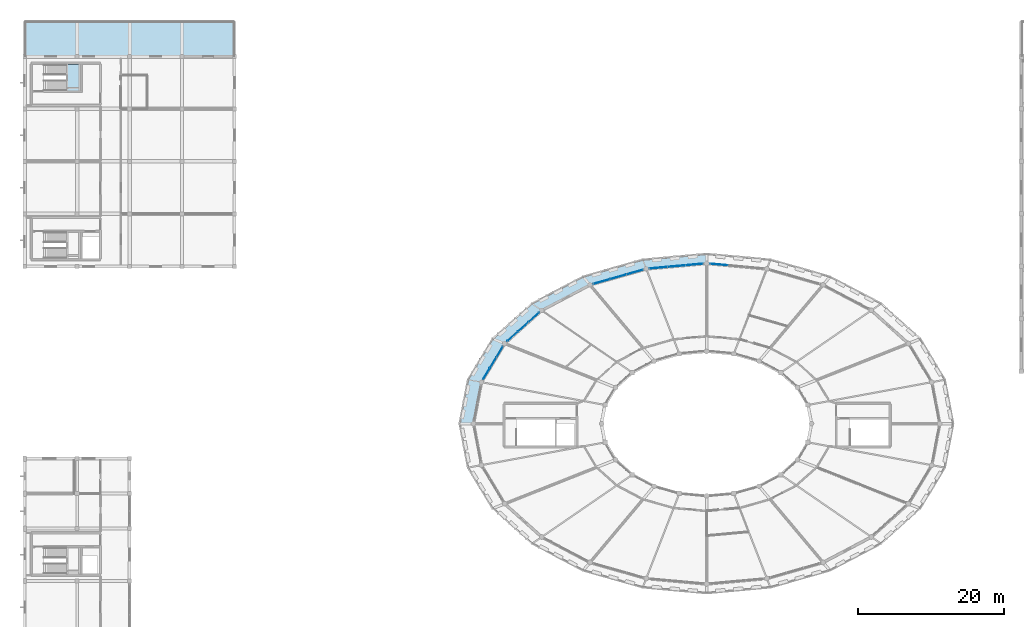
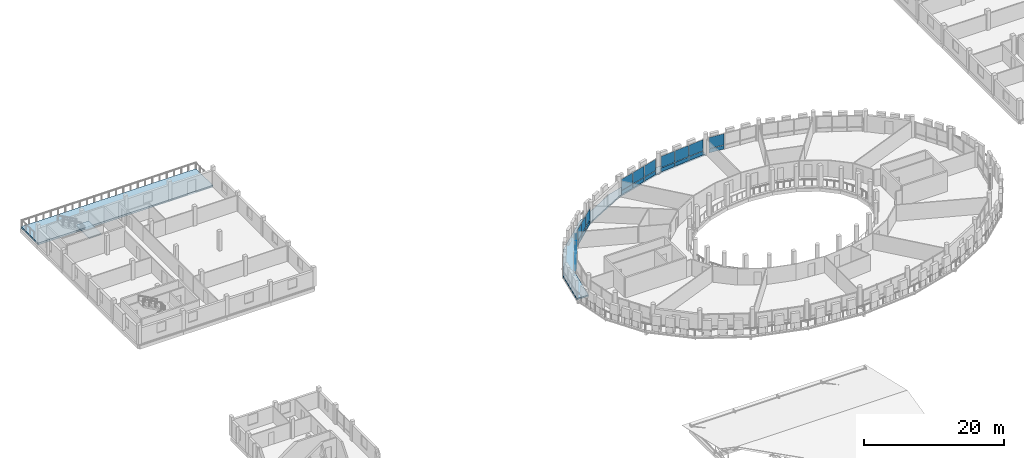
# One storey, part 63 of 84: 26 plates, 3 slabs, 6 elements without a shape of their own.
"""IFC4 building model written with IfcOpenShell, lengths in metres."""

from ifc_helpers import new_model, si_unit, direction, frame, origin, origin_2d, place, context, subcontext, project, spatial, polyline, rectangle, outline, extrude, material, layer, layer_set, type_object, element, aggregate, save


model = new_model("IFC4")

# Units and contexts
model_context = context("Model", 3, precision=1e-05, world=origin(), true_north=direction((0.0, 1.0)))
body_context = subcontext(model_context, "Body", "Model", "MODEL_VIEW")
ifc_project = project(units=[si_unit("LENGTHUNIT", "METRE"), si_unit("AREAUNIT", "SQUARE_METRE"), si_unit("VOLUMEUNIT", "CUBIC_METRE"), si_unit("PLANEANGLEUNIT", "RADIAN"), si_unit("MASSUNIT", "GRAM", prefix="KILO")], contexts=[model_context])

# Site, building, storey
site_placement = place(None, origin())
site = spatial("IfcSite", under=ifc_project, at=site_placement, CompositionType="ELEMENT")
building_placement = place(site_placement, origin())
building = spatial("IfcBuilding", under=site, at=building_placement, Name="Zornivar Specialist Clinic", CompositionType="ELEMENT")
storey_placement = place(building_placement, frame((0.0, 0.0, 12.300048828125)))
storey = spatial("IfcBuildingStorey", under=building, at=storey_placement, Name="L03", CompositionType="ELEMENT", Elevation=12.300048828125)

# Curtain wall, plates
ifc_material_1 = material(Name="Aluminium and Low-E Glass Curtain Wall", Category="aluminium")
curtain_wall_type = type_object("IfcCurtainWallType", Name="CW-DRUM-FACET", PredefinedType="NOTDEFINED", material=ifc_material_1)
curtain_wall_1_placement = place(storey_placement, origin())
curtain_wall_1 = element("IfcCurtainWall", 1, at=curtain_wall_1_placement, inside=storey, type_object=curtain_wall_type, Name="cw:V1:L03:c09", PredefinedType="NOTDEFINED")
ifc_material_2 = material(Name="Insulated Bronze Spandrel Panel")
ifc_layer_1 = layer(ifc_material_2, 0.048095703125)
ifc_layer_set_1 = layer_set([ifc_layer_1], Name="Insulated Bronze Spandrel Panel")
plate_type_1 = type_object("IfcPlateType", Name="CWP-SPN-A", PredefinedType="CURTAIN_PANEL", material=ifc_layer_set_1)
plate_1_placement = place(storey_placement, frame((69.886962890625, 72.18310546875, 0.030517578125), z_axis=(0.0, 0.0, 1.0), x_axis=(-0.744880599036, -0.667197791648, 0.0)))
plate_1 = element("IfcPlate", 2, at=plate_1_placement, type_object=plate_type_1, Name="cw:V1:L03:c09:spn:0", PredefinedType="CURTAIN_PANEL", context=body_context, shape_type="SweptSolid", body=[
    extrude(rectangle(XDim=1.885986328125, YDim=0.048095703125, at=origin_2d()), origin(), (0.0, 0.0, 1.0), 0.6708984375),
])
plate_2_placement = place(storey_placement, frame((68.429931640625, 70.8779296875, 0.030517578125), z_axis=(0.0, 0.0, 1.0), x_axis=(-0.744880599036, -0.667197791648, 0.0)))
plate_2 = element("IfcPlate", 3, at=plate_2_placement, type_object=plate_type_1, Name="cw:V1:L03:c09:spn:1", PredefinedType="CURTAIN_PANEL", context=body_context, shape_type="SweptSolid", body=[
    extrude(rectangle(XDim=1.885986328125, YDim=0.048095703125, at=origin_2d()), origin(), (0.0, 0.0, 1.0), 0.6708984375),
])
plate_3_placement = place(storey_placement, frame((66.972900390625, 69.572998046875, 0.030517578125), z_axis=(0.0, 0.0, 1.0), x_axis=(-0.744880599036, -0.667197791648, 0.0)))
plate_3 = element("IfcPlate", 4, at=plate_3_placement, type_object=plate_type_1, Name="cw:V1:L03:c09:spn:2", PredefinedType="CURTAIN_PANEL", context=body_context, shape_type="SweptSolid", body=[
    extrude(rectangle(XDim=1.885009765625, YDim=0.048095703125, at=origin_2d()), origin(), (0.0, 0.0, 1.0), 0.6708984375),
])

curtain_wall_2_placement = place(storey_placement, origin())
curtain_wall_2 = element("IfcCurtainWall", 5, at=curtain_wall_2_placement, inside=storey, type_object=curtain_wall_type, Name="cw:V1:L03:c10", PredefinedType="NOTDEFINED")
ifc_material_3 = material(Name="Insulated Bronze Spandrel Panel")
ifc_layer_2 = layer(ifc_material_3, 0.048095703125)
ifc_layer_set_2 = layer_set([ifc_layer_2], Name="Insulated Bronze Spandrel Panel")
plate_type_2 = type_object("IfcPlateType", Name="CWP-SPN-B", PredefinedType="CURTAIN_PANEL", material=ifc_layer_set_2)
plate_4_placement = place(storey_placement, frame((65.18896484375, 67.44091796875, 0.030517578125), z_axis=(0.0, 0.0, 1.0), x_axis=(-0.516127401954, -0.856511824175, 0.0)))
plate_4 = element("IfcPlate", 6, at=plate_4_placement, type_object=plate_type_2, Name="cw:V1:L03:c10:spn:0", PredefinedType="CURTAIN_PANEL", context=body_context, shape_type="SweptSolid", body=[
    extrude(rectangle(XDim=1.675048828125, YDim=0.048095703125, at=origin_2d()), origin(), (0.0, 0.0, 1.0), 0.6708984375),
])
plate_5_placement = place(storey_placement, frame((64.2890625, 65.947021484375, 0.030517578125), z_axis=(0.0, 0.0, 1.0), x_axis=(-0.516127401954, -0.856511824175, 0.0)))
plate_5 = element("IfcPlate", 7, at=plate_5_placement, type_object=plate_type_2, Name="cw:V1:L03:c10:spn:1", PredefinedType="CURTAIN_PANEL", context=body_context, shape_type="SweptSolid", body=[
    extrude(rectangle(XDim=1.675048828125, YDim=0.048095703125, at=origin_2d()), origin(), (0.0, 0.0, 1.0), 0.6708984375),
])
plate_6_placement = place(storey_placement, frame((63.387939453125, 64.451904296875, 0.030517578125), z_axis=(0.0, 0.0, 1.0), x_axis=(-0.516127401954, -0.856511824175, 0.0)))
plate_6 = element("IfcPlate", 8, at=plate_6_placement, type_object=plate_type_2, Name="cw:V1:L03:c10:spn:2", PredefinedType="CURTAIN_PANEL", context=body_context, shape_type="SweptSolid", body=[
    extrude(rectangle(XDim=1.675048828125, YDim=0.048095703125, at=origin_2d()), origin(), (0.0, 0.0, 1.0), 0.6708984375),
])

# Curtain wall, plate
curtain_wall_3_placement = place(storey_placement, origin())
curtain_wall_3 = element("IfcCurtainWall", 9, at=curtain_wall_3_placement, inside=storey, type_object=curtain_wall_type, Name="cw:V1:L03:c05", PredefinedType="NOTDEFINED")
ifc_material_4 = material(Name="Insulated Bronze Spandrel Panel")
ifc_layer_3 = layer(ifc_material_4, 0.048095703125)
ifc_layer_set_3 = layer_set([ifc_layer_3], Name="Insulated Bronze Spandrel Panel")
plate_type_3 = type_object("IfcPlateType", Name="CWP-SPN-C", PredefinedType="CURTAIN_PANEL", material=ifc_layer_set_3)
plate_7_placement = place(storey_placement, frame((95.299072265625, 79.446044921875, 0.030517578125), z_axis=(0.0, 0.0, 1.0), x_axis=(-0.995932792393, 0.09009923993, 0.0)))
plate_7 = element("IfcPlate", 10, at=plate_7_placement, type_object=plate_type_3, Name="cw:V1:L03:c05:spn:2", PredefinedType="CURTAIN_PANEL", context=body_context, shape_type="SweptSolid", body=[
    extrude(rectangle(XDim=2.382080078125, YDim=0.048095703125, at=origin_2d()), origin(), (0.0, 0.0, 1.0), 0.6708984375),
])

# Curtain wall, plates
curtain_wall_4_placement = place(storey_placement, origin())
curtain_wall_4 = element("IfcCurtainWall", 11, at=curtain_wall_4_placement, inside=storey, type_object=curtain_wall_type, Name="cw:V1:L03:c06", PredefinedType="NOTDEFINED")
ifc_material_5 = material(Name="Insulated Limestone-Faced Spandrel Panel", Category="masonry")
ifc_layer_4 = layer(ifc_material_5, 0.05810546875)
ifc_layer_set_4 = layer_set([ifc_layer_4], Name="Insulated Limestone-Faced Spandrel Panel")
plate_type_4 = type_object("IfcPlateType", Name="CWP-SPN-D", PredefinedType="CURTAIN_PANEL", material=ifc_layer_set_4)
plate_8_placement = place(storey_placement, frame((91.90087890625, 79.446044921875, 0.030517578125), z_axis=(0.0, 0.0, 1.0), x_axis=(-0.995932792393, -0.09009923993, 0.0)))
plate_8 = element("IfcPlate", 12, at=plate_8_placement, type_object=plate_type_4, Name="cw:V1:L03:c06:spn:0", PredefinedType="CURTAIN_PANEL", context=body_context, shape_type="SweptSolid", body=[
    extrude(rectangle(XDim=2.382080078125, YDim=0.05810546875, at=origin_2d()), origin(), (0.0, 0.0, 1.0), 0.6708984375),
])
plate_9_placement = place(storey_placement, frame((89.458984375, 79.22509765625, 0.030517578125), z_axis=(0.0, 0.0, 1.0), x_axis=(-0.995932792393, -0.09009923993, 0.0)))
plate_9 = element("IfcPlate", 13, at=plate_9_placement, type_object=plate_type_4, Name="cw:V1:L03:c06:spn:1", PredefinedType="CURTAIN_PANEL", context=body_context, shape_type="SweptSolid", body=[
    extrude(rectangle(XDim=2.382080078125, YDim=0.05810546875, at=origin_2d()), origin(), (0.0, 0.0, 1.0), 0.6708984375),
])
plate_10_placement = place(storey_placement, frame((87.01708984375, 79.00390625, 0.030517578125), z_axis=(0.0, 0.0, 1.0), x_axis=(-0.995932792393, -0.09009923993, 0.0)))
plate_10 = element("IfcPlate", 14, at=plate_10_placement, type_object=plate_type_4, Name="cw:V1:L03:c06:spn:2", PredefinedType="CURTAIN_PANEL", context=body_context, shape_type="SweptSolid", body=[
    extrude(rectangle(XDim=2.382080078125, YDim=0.05810546875, at=origin_2d()), origin(), (0.0, 0.0, 1.0), 0.6708984375),
])

curtain_wall_5_placement = place(storey_placement, origin())
curtain_wall_5 = element("IfcCurtainWall", 15, at=curtain_wall_5_placement, inside=storey, type_object=curtain_wall_type, Name="cw:V1:L03:c07", PredefinedType="NOTDEFINED")
ifc_material_6 = material(Name="Insulated Bronze Spandrel Panel")
ifc_layer_5 = layer(ifc_material_6, 0.0458984375)
ifc_layer_set_5 = layer_set([ifc_layer_5], Name="Insulated Bronze Spandrel Panel")
plate_type_5 = type_object("IfcPlateType", Name="CWP-SPN-E", PredefinedType="CURTAIN_PANEL", material=ifc_layer_set_5)
plate_11_placement = place(storey_placement, frame((83.72412109375, 78.39697265625, 0.030517578125), z_axis=(0.0, 0.0, 1.0), x_axis=(-0.961761244933, -0.273889225319, 0.0)))
plate_11 = element("IfcPlate", 16, at=plate_11_placement, type_object=plate_type_5, Name="cw:V1:L03:c07:spn:0", PredefinedType="CURTAIN_PANEL", context=body_context, shape_type="SweptSolid", body=[
    extrude(rectangle(XDim=2.284912109375, YDim=0.0458984375, at=origin_2d()), origin(), (0.0, 0.0, 1.0), 0.6708984375),
])
plate_12_placement = place(storey_placement, frame((81.458984375, 77.751953125, 0.030517578125), z_axis=(0.0, 0.0, 1.0), x_axis=(-0.961761244933, -0.273889225319, 0.0)))
plate_12 = element("IfcPlate", 17, at=plate_12_placement, type_object=plate_type_5, Name="cw:V1:L03:c07:spn:1", PredefinedType="CURTAIN_PANEL", context=body_context, shape_type="SweptSolid", body=[
    extrude(rectangle(XDim=2.284912109375, YDim=0.0458984375, at=origin_2d()), origin(), (0.0, 0.0, 1.0), 0.6708984375),
])
plate_13_placement = place(storey_placement, frame((79.194091796875, 77.10693359375, 0.030517578125), z_axis=(0.0, 0.0, 1.0), x_axis=(-0.961761244933, -0.273889225319, 0.0)))
plate_13 = element("IfcPlate", 18, at=plate_13_placement, type_object=plate_type_5, Name="cw:V1:L03:c07:spn:2", PredefinedType="CURTAIN_PANEL", context=body_context, shape_type="SweptSolid", body=[
    extrude(rectangle(XDim=2.284912109375, YDim=0.0458984375, at=origin_2d()), origin(), (0.0, 0.0, 1.0), 0.6708984375),
])
ifc_material_7 = material(Name="Triple Low-E Vision Glass", Category="glass")
ifc_layer_6 = layer(ifc_material_7, 0.035888671875)
ifc_layer_set_6 = layer_set([ifc_layer_6], Name="Triple Low-E Vision Glass")
plate_type_6 = type_object("IfcPlateType", Name="CWP-VIS-A", PredefinedType="CURTAIN_PANEL", material=ifc_layer_set_6)
plate_14_placement = place(storey_placement, frame((83.72412109375, 78.39697265625, 0.76611328125), z_axis=(0.0, 0.0, 1.0), x_axis=(-0.961761244933, -0.273889225319, 0.0)))
plate_14 = element("IfcPlate", 19, at=plate_14_placement, type_object=plate_type_6, Name="cw:V1:L03:c07:vis:0", PredefinedType="CURTAIN_PANEL", context=body_context, shape_type="SweptSolid", body=[
    extrude(rectangle(XDim=2.284912109375, YDim=0.035888671875, at=origin_2d()), origin(), (0.0, 0.0, 1.0), 1.944091796875),
])
plate_15_placement = place(storey_placement, frame((81.458984375, 77.751953125, 0.76611328125), z_axis=(0.0, 0.0, 1.0), x_axis=(-0.961761244933, -0.273889225319, 0.0)))
plate_15 = element("IfcPlate", 20, at=plate_15_placement, type_object=plate_type_6, Name="cw:V1:L03:c07:vis:1", PredefinedType="CURTAIN_PANEL", context=body_context, shape_type="SweptSolid", body=[
    extrude(rectangle(XDim=2.284912109375, YDim=0.035888671875, at=origin_2d()), origin(), (0.0, 0.0, 1.0), 1.944091796875),
])
plate_16_placement = place(storey_placement, frame((79.194091796875, 77.10693359375, 0.76611328125), z_axis=(0.0, 0.0, 1.0), x_axis=(-0.961761244933, -0.273889225319, 0.0)))
plate_16 = element("IfcPlate", 21, at=plate_16_placement, type_object=plate_type_6, Name="cw:V1:L03:c07:vis:2", PredefinedType="CURTAIN_PANEL", context=body_context, shape_type="SweptSolid", body=[
    extrude(rectangle(XDim=2.284912109375, YDim=0.035888671875, at=origin_2d()), origin(), (0.0, 0.0, 1.0), 1.944091796875),
])
aggregate(curtain_wall_5, [plate_11, plate_14, plate_12, plate_15, plate_13, plate_16])

# Plate
ifc_material_8 = material(Name="Triple Low-E Vision Glass", Category="glass")
ifc_layer_7 = layer(ifc_material_8, 0.035888671875)
ifc_layer_set_7 = layer_set([ifc_layer_7], Name="Triple Low-E Vision Glass")
plate_type_7 = type_object("IfcPlateType", Name="CWP-VIS-C", PredefinedType="CURTAIN_PANEL", material=ifc_layer_set_7)
plate_17_placement = place(storey_placement, frame((69.886962890625, 72.18310546875, 0.76611328125), z_axis=(0.0, 0.0, 1.0), x_axis=(-0.744880599036, -0.667197791648, 0.0)))
plate_17 = element("IfcPlate", 22, at=plate_17_placement, type_object=plate_type_7, Name="cw:V1:L03:c09:vis:0", PredefinedType="CURTAIN_PANEL", context=body_context, shape_type="SweptSolid", body=[
    extrude(rectangle(XDim=1.885986328125, YDim=0.035888671875, at=origin_2d()), origin(), (0.0, 0.0, 1.0), 1.944091796875),
])

plate_18_placement = place(storey_placement, frame((68.429931640625, 70.8779296875, 0.76611328125), z_axis=(0.0, 0.0, 1.0), x_axis=(-0.744880599036, -0.667197791648, 0.0)))
plate_18 = element("IfcPlate", 23, at=plate_18_placement, type_object=plate_type_7, Name="cw:V1:L03:c09:vis:1", PredefinedType="CURTAIN_PANEL", context=body_context, shape_type="SweptSolid", body=[
    extrude(rectangle(XDim=1.885986328125, YDim=0.035888671875, at=origin_2d()), origin(), (0.0, 0.0, 1.0), 1.944091796875),
])

plate_19_placement = place(storey_placement, frame((66.972900390625, 69.572998046875, 0.76611328125), z_axis=(0.0, 0.0, 1.0), x_axis=(-0.744880599036, -0.667197791648, 0.0)))
plate_19 = element("IfcPlate", 24, at=plate_19_placement, type_object=plate_type_7, Name="cw:V1:L03:c09:vis:2", PredefinedType="CURTAIN_PANEL", context=body_context, shape_type="SweptSolid", body=[
    extrude(rectangle(XDim=1.885009765625, YDim=0.035888671875, at=origin_2d()), origin(), (0.0, 0.0, 1.0), 1.944091796875),
])

aggregate(curtain_wall_1, [plate_1, plate_17, plate_2, plate_18, plate_3, plate_19])

ifc_material_9 = material(Name="Triple Low-E Vision Glass", Category="glass")
ifc_layer_8 = layer(ifc_material_9, 0.0380859375)
ifc_layer_set_8 = layer_set([ifc_layer_8], Name="Triple Low-E Vision Glass")
plate_type_8 = type_object("IfcPlateType", Name="CWP-VIS-D", PredefinedType="CURTAIN_PANEL", material=ifc_layer_set_8)
plate_20_placement = place(storey_placement, frame((65.18896484375, 67.44091796875, 0.76611328125), z_axis=(0.0, 0.0, 1.0), x_axis=(-0.516127401954, -0.856511824175, 0.0)))
plate_20 = element("IfcPlate", 25, at=plate_20_placement, type_object=plate_type_8, Name="cw:V1:L03:c10:vis:0", PredefinedType="CURTAIN_PANEL", context=body_context, shape_type="SweptSolid", body=[
    extrude(rectangle(XDim=1.675048828125, YDim=0.0380859375, at=origin_2d()), origin(), (0.0, 0.0, 1.0), 1.944091796875),
])

plate_21_placement = place(storey_placement, frame((64.2890625, 65.947021484375, 0.76611328125), z_axis=(0.0, 0.0, 1.0), x_axis=(-0.516127401954, -0.856511824175, 0.0)))
plate_21 = element("IfcPlate", 26, at=plate_21_placement, type_object=plate_type_8, Name="cw:V1:L03:c10:vis:1", PredefinedType="CURTAIN_PANEL", context=body_context, shape_type="SweptSolid", body=[
    extrude(rectangle(XDim=1.675048828125, YDim=0.0380859375, at=origin_2d()), origin(), (0.0, 0.0, 1.0), 1.944091796875),
])

plate_22_placement = place(storey_placement, frame((63.387939453125, 64.451904296875, 0.76611328125), z_axis=(0.0, 0.0, 1.0), x_axis=(-0.516127401954, -0.856511824175, 0.0)))
plate_22 = element("IfcPlate", 27, at=plate_22_placement, type_object=plate_type_8, Name="cw:V1:L03:c10:vis:2", PredefinedType="CURTAIN_PANEL", context=body_context, shape_type="SweptSolid", body=[
    extrude(rectangle(XDim=1.675048828125, YDim=0.0380859375, at=origin_2d()), origin(), (0.0, 0.0, 1.0), 1.944091796875),
])

aggregate(curtain_wall_2, [plate_4, plate_20, plate_5, plate_21, plate_6, plate_22])

ifc_material_10 = material(Name="Triple Low-E Vision Glass", Category="glass")
ifc_layer_9 = layer(ifc_material_10, 0.033935546875)
ifc_layer_set_9 = layer_set([ifc_layer_9], Name="Triple Low-E Vision Glass")
plate_type_9 = type_object("IfcPlateType", Name="CWP-VIS-J", PredefinedType="CURTAIN_PANEL", material=ifc_layer_set_9)
plate_23_placement = place(storey_placement, frame((95.299072265625, 79.446044921875, 0.76611328125), z_axis=(0.0, 0.0, 1.0), x_axis=(-0.995932792393, 0.09009923993, 0.0)))
plate_23 = element("IfcPlate", 28, at=plate_23_placement, type_object=plate_type_9, Name="cw:V1:L03:c05:vis:2", PredefinedType="CURTAIN_PANEL", context=body_context, shape_type="SweptSolid", body=[
    extrude(rectangle(XDim=2.382080078125, YDim=0.033935546875, at=origin_2d()), origin(), (0.0, 0.0, 1.0), 1.944091796875),
])

aggregate(curtain_wall_3, [plate_7, plate_23])

ifc_material_11 = material(Name="Solar-Control Wintergarden Glass", Category="glass")
ifc_layer_10 = layer(ifc_material_11, 0.0380859375)
ifc_layer_set_10 = layer_set([ifc_layer_10], Name="Solar-Control Wintergarden Glass")
plate_type_10 = type_object("IfcPlateType", Name="CWP-VIS-L", PredefinedType="CURTAIN_PANEL", material=ifc_layer_set_10)
plate_24_placement = place(storey_placement, frame((91.90087890625, 79.446044921875, 0.76611328125), z_axis=(0.0, 0.0, 1.0), x_axis=(-0.995932792393, -0.09009923993, 0.0)))
plate_24 = element("IfcPlate", 29, at=plate_24_placement, type_object=plate_type_10, Name="cw:V1:L03:c06:vis:0", PredefinedType="CURTAIN_PANEL", context=body_context, shape_type="SweptSolid", body=[
    extrude(rectangle(XDim=2.382080078125, YDim=0.0380859375, at=origin_2d()), origin(), (0.0, 0.0, 1.0), 1.944091796875),
])

plate_25_placement = place(storey_placement, frame((89.458984375, 79.22509765625, 0.76611328125), z_axis=(0.0, 0.0, 1.0), x_axis=(-0.995932792393, -0.09009923993, 0.0)))
plate_25 = element("IfcPlate", 30, at=plate_25_placement, type_object=plate_type_10, Name="cw:V1:L03:c06:vis:1", PredefinedType="CURTAIN_PANEL", context=body_context, shape_type="SweptSolid", body=[
    extrude(rectangle(XDim=2.382080078125, YDim=0.0380859375, at=origin_2d()), origin(), (0.0, 0.0, 1.0), 1.944091796875),
])

plate_26_placement = place(storey_placement, frame((87.01708984375, 79.00390625, 0.76611328125), z_axis=(0.0, 0.0, 1.0), x_axis=(-0.995932792393, -0.09009923993, 0.0)))
plate_26 = element("IfcPlate", 31, at=plate_26_placement, type_object=plate_type_10, Name="cw:V1:L03:c06:vis:2", PredefinedType="CURTAIN_PANEL", context=body_context, shape_type="SweptSolid", body=[
    extrude(rectangle(XDim=2.382080078125, YDim=0.0380859375, at=origin_2d()), origin(), (0.0, 0.0, 1.0), 1.944091796875),
])

aggregate(curtain_wall_4, [plate_8, plate_24, plate_9, plate_25, plate_10, plate_26])

# Slabs
ifc_material_12 = material(Name="Concrete C30/37", Category="concrete")
ifc_layer_11 = layer(ifc_material_12, 0.239990234375)
ifc_layer_set_11 = layer_set([ifc_layer_11], Name="Concrete C30/37")
slab_type_1 = type_object("IfcSlabType", Name="SLB-EXT-BALC-240", PredefinedType="FLOOR", material=ifc_layer_set_11)
slab_1_placement = place(storey_placement, frame((0.0, 0.0, -0.239990234375)))
element("IfcSlab", 32, at=slab_1_placement, inside=storey, type_object=slab_type_1, Name="slab:V1:L03:balc:q1", PredefinedType="FLOOR", context=body_context, shape_type="SweptSolid", body=[
    extrude(outline(polyline([(93.60009765625, 79.60009765625), (85.318115234375, 78.85009765625), (77.60009765625, 76.653076171875), (70.972900390625, 73.156005859375), (65.886962890625, 68.60009765625), (62.68994140625, 63.2939453125), (61.60009765625, 57.60009765625), (59.679931640625, 57.60009765625), (60.8359375, 63.635986328125), (64.22412109375, 69.260009765625), (69.614990234375, 74.090087890625), (76.639892578125, 77.7958984375), (84.821044921875, 80.125), (93.60009765625, 80.919921875), (93.60009765625, 79.60009765625)])), origin(), (0.0, 0.0, 1.0), 0.239990234375),
])
ifc_material_13 = material(Name="Concrete C30/37", Category="concrete")
ifc_layer_12 = layer(ifc_material_13, 0.31005859375)
ifc_layer_set_12 = layer_set([ifc_layer_12], Name="Concrete C30/37")
slab_type_2 = type_object("IfcSlabType", Name="SLB-EXT-TERR-310", PredefinedType="FLOOR", material=ifc_layer_set_12)
slab_2_placement = place(storey_placement, frame((0.0, 0.0, -0.31005859375)))
element("IfcSlab", 33, at=slab_2_placement, inside=storey, type_object=slab_type_2, Name="slab:V5:L03:terr:0", PredefinedType="FLOOR", context=body_context, shape_type="SweptSolid", body=[
    extrude(outline(polyline([(0.0, 108.0), (28.800048828125, 108.0), (28.800048828125, 112.800048828125), (0.0, 112.800048828125), (0.0, 108.0)])), origin(), (0.0, 0.0, 1.0), 0.31005859375),
])

# Stair, slab
ifc_material_14 = material(Name="Concrete C30/37", Category="concrete")
stair_type = type_object("IfcStairType", Name="STR-CORE-UPPER-3700", PredefinedType="HALF_TURN_STAIR", material=ifc_material_14)
stair_placement = place(storey_placement, origin())
stair = element("IfcStair", 34, at=stair_placement, inside=storey, type_object=stair_type, Name="stair:C8:L03", PredefinedType="HALF_TURN_STAIR")
ifc_material_15 = material(Name="Concrete C30/37", Category="concrete")
ifc_layer_13 = layer(ifc_material_15, 0.179931640625)
ifc_layer_set_13 = layer_set([ifc_layer_13], Name="Concrete C30/37")
slab_type_3 = type_object("IfcSlabType", Name="SLB-LANDING-180", PredefinedType="LANDING", material=ifc_layer_set_13)
slab_3_placement = place(storey_placement, frame((0.0, 0.0, 1.669921875)))
slab_3 = element("IfcSlab", 35, at=slab_3_placement, type_object=slab_type_3, Name="stair:C8:L03:land", PredefinedType="LANDING", context=body_context, shape_type="SweptSolid", body=[
    extrude(outline(polyline([(5.659912109375, 103.280029296875), (7.719970703125, 103.280029296875), (7.719970703125, 106.919921875), (5.659912109375, 106.919921875), (5.659912109375, 103.280029296875)])), origin(), (0.0, 0.0, 1.0), 0.179931640625),
])
aggregate(stair, [slab_3])

save(model, "model.ifc")
